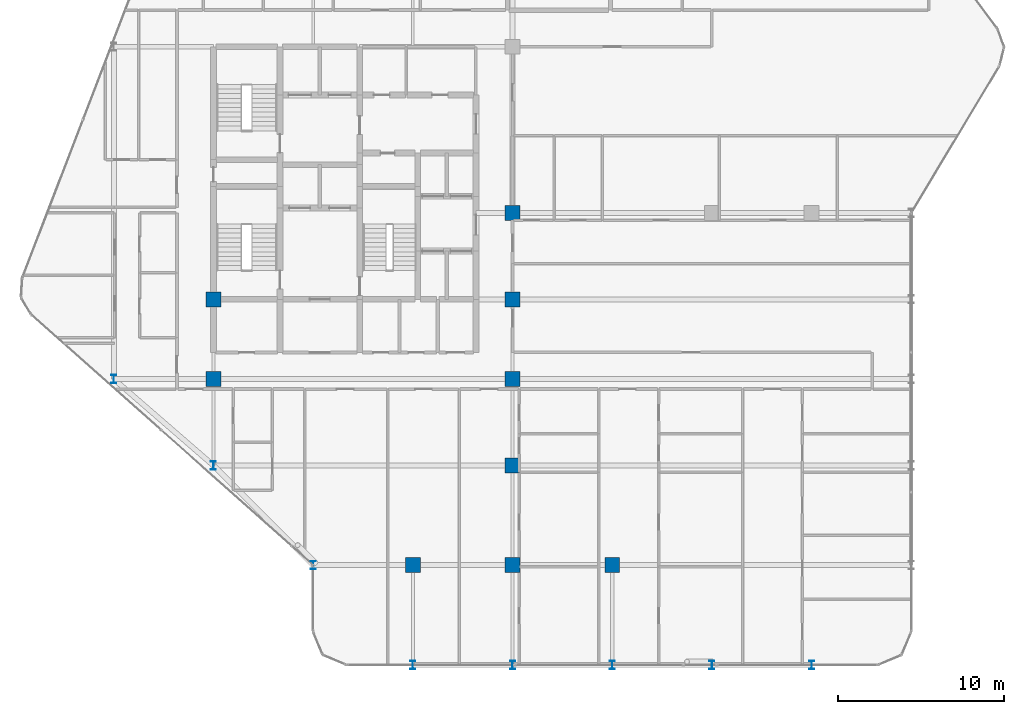
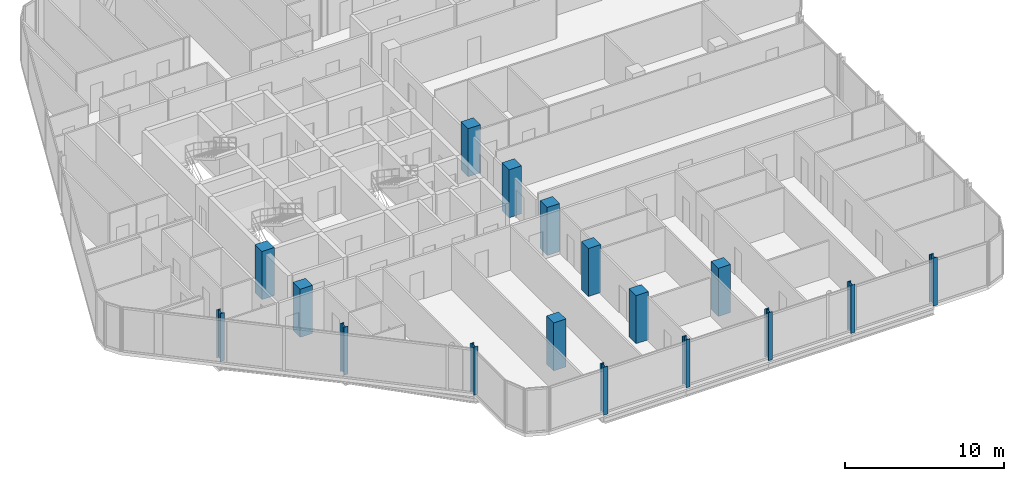
# One storey, part 1 of 31: 17 columns.
"""IFC4 building model written with IfcOpenShell, lengths in metres."""

from ifc_helpers import new_model, si_unit, direction, frame, origin, origin_2d, place, context, subcontext, project, spatial, rectangle, i_section, extrude, material, material_profile, profile_set, type_object, element, save


model = new_model("IFC4")

# Units and contexts
model_context = context("Model", 3, precision=1e-05, world=origin(), true_north=direction((0.0, 1.0)))
body_context = subcontext(model_context, "Body", "Model", "MODEL_VIEW")
ifc_project = project(units=[si_unit("LENGTHUNIT", "METRE"), si_unit("AREAUNIT", "SQUARE_METRE"), si_unit("VOLUMEUNIT", "CUBIC_METRE"), si_unit("PLANEANGLEUNIT", "RADIAN"), si_unit("MASSUNIT", "GRAM", prefix="KILO")], contexts=[model_context])

# Site, building, storey
site_placement = place(None, origin())
site = spatial("IfcSite", under=ifc_project, at=site_placement, CompositionType="ELEMENT")
building_placement = place(site_placement, origin())
building = spatial("IfcBuilding", under=site, at=building_placement, Name="Keshet Zoharim Tower", CompositionType="ELEMENT")
storey_placement = place(building_placement, frame((0.0, 0.0, 144.60009765625)))
storey = spatial("IfcBuildingStorey", under=building, at=storey_placement, Name="L35", CompositionType="ELEMENT", Elevation=144.60009765625)

# Columns
ifc_material_1 = material(Name="Steel S355", Category="steel")
ifc_material_profile_1 = material_profile(ifc_material_1, i_section(OverallWidth=0.300048828125, OverallDepth=0.5, WebThickness=0.014404296875, FlangeThickness=0.028076171875, FilletRadius=0.027099609375, at=origin_2d()), Name="HEB500")
ifc_profile_set_1 = profile_set([ifc_material_profile_1], Name="Steel S355")
column_type_1 = type_object("IfcColumnType", Name="COL-HEB500", PredefinedType="COLUMN", material=ifc_profile_set_1)
for number, where, z_axis, x_axis, name in (
    (1, (9.0, 17.89990234375, 0.0), (0.0, 0.0, 1.0), (1.0, 0.0, 0.0), "L35 Column 2D"),
    (2, (15.0, 12.699951171875, 0.0), (0.0, 0.0, 1.0), (1.0, 0.0, 0.0), "L35 Column 3C"),
    (3, (21.0, 6.699951171875, 0.0), (0.0, 0.0, 1.0), (1.0, 0.0, 0.0), "L35 Column 4B"),
    (4, (27.0, 0.699951171875, 0.0), (0.0, 0.0, 1.0), (1.0, 0.0, 0.0), "L35 Column 5A"),
    (5, (33.0, 0.699951171875, 0.0), (0.0, 0.0, 1.0), (1.0, 0.0, 0.0), "L35 Column 6A"),
    (6, (39.0, 0.699951171875, 0.0), (0.0, 0.0, 1.0), (1.0, 0.0, 0.0), "L35 Column 7A"),
    (7, (45.0, 0.699951171875, 0.0), (0.0, 0.0, 1.0), (1.0, 0.0, 0.0), "L35 Column 8A"),
    (8, (51.0, 0.699951171875, 0.0), (0.0, 0.0, 1.0), (1.0, 0.0, 0.0), "L35 Column 9A"),
):
    element("IfcColumn", number, at=place(storey_placement, frame(where, z_axis=z_axis, x_axis=x_axis)), inside=storey, type_object=column_type_1, Name=name, PredefinedType="COLUMN", context=body_context, shape_type="SweptSolid", body=[
        extrude(i_section(OverallWidth=0.300048828125, OverallDepth=0.5, WebThickness=0.014404296875, FlangeThickness=0.028076171875, FilletRadius=0.027099609375, at=origin_2d()), origin(), (0.0, 0.0, 1.0), 3.699951171875),
    ])
ifc_material_2 = material(Name="Concrete C60/75", Category="concrete")
ifc_material_profile_2 = material_profile(ifc_material_2, rectangle(XDim=0.89990234375, YDim=0.89990234375, at=origin_2d()), Name="RC900x900")
ifc_profile_set_2 = profile_set([ifc_material_profile_2], Name="Concrete C60/75")
column_type_2 = type_object("IfcColumnType", Name="COL-RC900", PredefinedType="COLUMN", material=ifc_profile_set_2)
for number, where, z_axis, x_axis, name in (
    (9, (15.0, 17.89990234375, 0.0), (0.0, 0.0, 1.0), (1.0, 0.0, 0.0), "L35 Column 3D"),
    (10, (15.0, 22.699951171875, 0.0), (0.0, 0.0, 1.0), (1.0, 0.0, 0.0), "L35 Column 3E"),
    (11, (27.0, 6.699951171875, 0.0), (0.0, 0.0, 1.0), (1.0, 0.0, 0.0), "L35 Column 5B"),
    (12, (33.0, 6.699951171875, 0.0), (0.0, 0.0, 1.0), (1.0, 0.0, 0.0), "L35 Column 6B"),
    (13, (33.0, 12.699951171875, 0.0), (0.0, 0.0, 1.0), (1.0, 0.0, 0.0), "L35 Column 6C"),
    (14, (33.0, 17.89990234375, 0.0), (0.0, 0.0, 1.0), (1.0, 0.0, 0.0), "L35 Column 6D"),
    (15, (33.0, 22.699951171875, 0.0), (0.0, 0.0, 1.0), (1.0, 0.0, 0.0), "L35 Column 6E"),
    (16, (33.0, 27.89990234375, 0.0), (0.0, 0.0, 1.0), (1.0, 0.0, 0.0), "L35 Column 6F"),
    (17, (39.0, 6.699951171875, 0.0), (0.0, 0.0, 1.0), (1.0, 0.0, 0.0), "L35 Column 7B"),
):
    element("IfcColumn", number, at=place(storey_placement, frame(where, z_axis=z_axis, x_axis=x_axis)), inside=storey, type_object=column_type_2, Name=name, PredefinedType="COLUMN", context=body_context, shape_type="SweptSolid", body=[
        extrude(rectangle(XDim=0.89990234375, YDim=0.89990234375, at=origin_2d()), origin(), (0.0, 0.0, 1.0), 3.699951171875),
    ])

save(model, "model.ifc")
